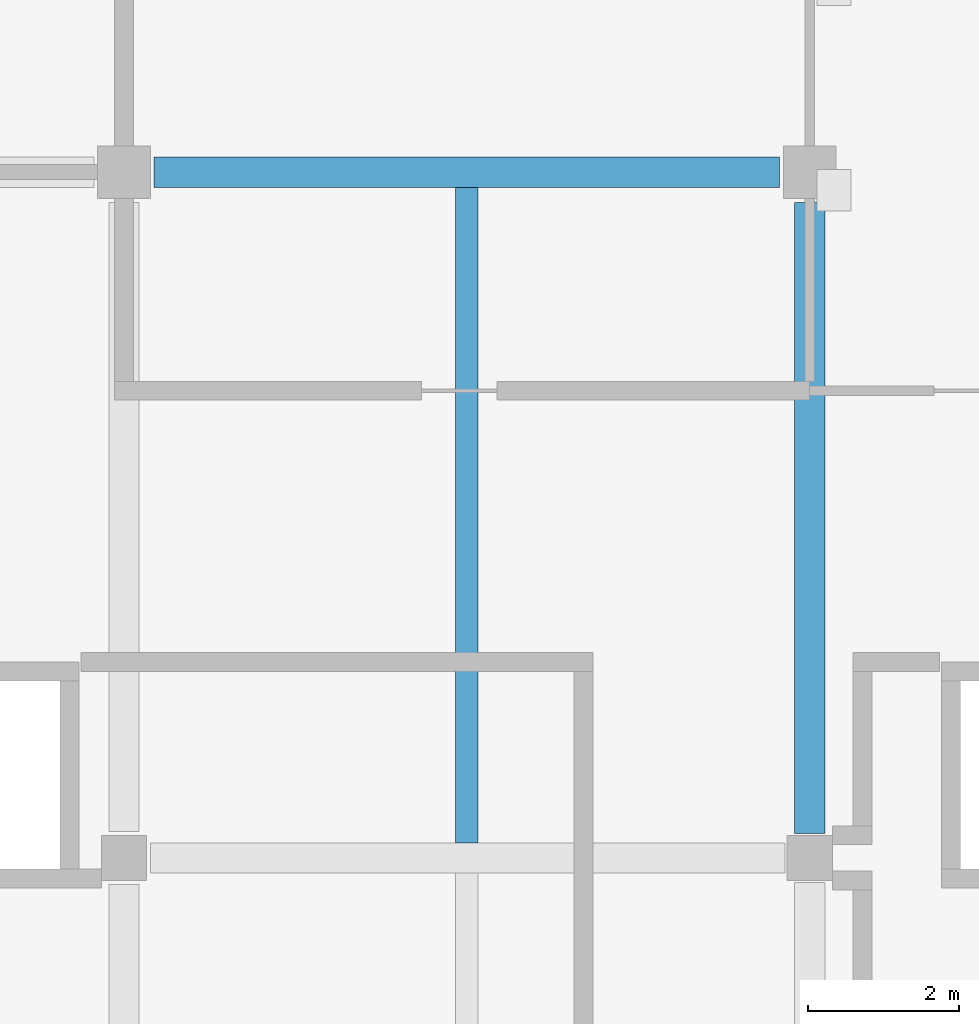
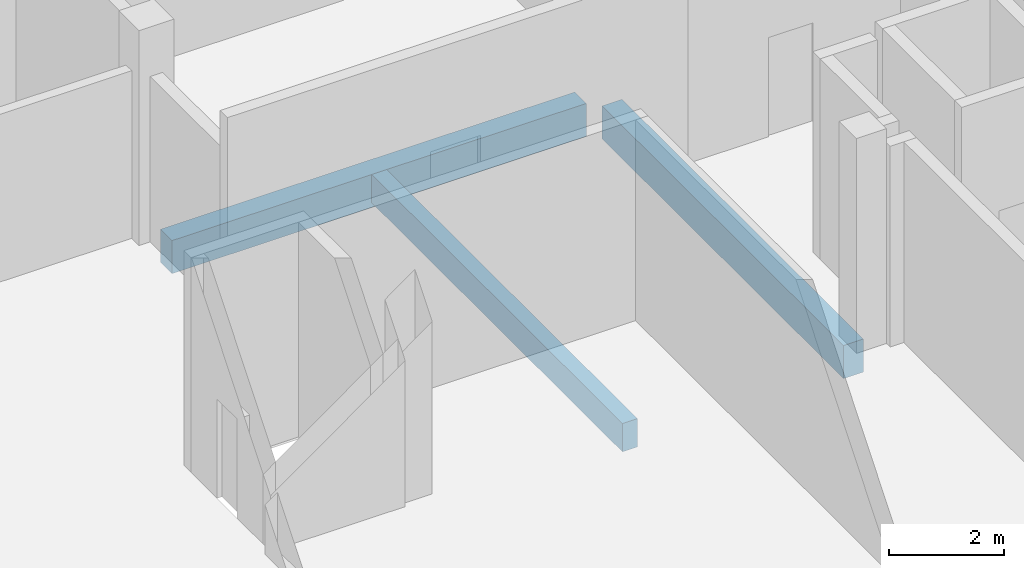
# One storey, part 20 of 124: 3 beams.
"""IFC4 building model written with IfcOpenShell, lengths in metres."""

from ifc_helpers import new_model, si_unit, direction, frame, origin, origin_2d, place, context, subcontext, project, spatial, rectangle, extrude, material, material_profile, profile_set, type_object, element, save


model = new_model("IFC4")

# Units and contexts
model_context = context("Model", 3, precision=1e-05, world=origin(), true_north=direction((0.0, 1.0)))
body_context = subcontext(model_context, "Body", "Model", "MODEL_VIEW")
ifc_project = project(units=[si_unit("LENGTHUNIT", "METRE"), si_unit("AREAUNIT", "SQUARE_METRE"), si_unit("VOLUMEUNIT", "CUBIC_METRE"), si_unit("PLANEANGLEUNIT", "RADIAN"), si_unit("MASSUNIT", "GRAM", prefix="KILO")], contexts=[model_context])

# Site, building, storey
site_placement = place(None, origin())
site = spatial("IfcSite", under=ifc_project, at=site_placement, CompositionType="ELEMENT")
building_placement = place(site_placement, origin())
building = spatial("IfcBuilding", under=site, at=building_placement, Name="Shirokan Park Arena", CompositionType="ELEMENT")
storey_placement = place(building_placement, frame((0.0, 0.0, 20.02001953125)))
storey = spatial("IfcBuildingStorey", under=building, at=storey_placement, Name="L04", CompositionType="ELEMENT", Elevation=20.02001953125)

# Beams
ifc_material = material(Name="Concrete C35", Category="concrete")
ifc_material_profile_1 = material_profile(ifc_material, rectangle(XDim=0.39990234375, YDim=0.699951171875, at=origin_2d()), Name="400x700")
ifc_profile_set_1 = profile_set([ifc_material_profile_1], Name="Concrete C35")
beam_type_1 = type_object("IfcBeamType", Name="RC girder 400x700", PredefinedType="BEAM", material=ifc_profile_set_1)
beam_1_placement = place(storey_placement, frame((27.7001953125, 36.39990234375, -0.60009765625), z_axis=(1.0, 0.0, 0.0), x_axis=(0.0, 1.0, 0.0)))
element("IfcBeam", 1, at=beam_1_placement, inside=storey, type_object=beam_type_1, Name="Girder 4E-5E L04", PredefinedType="BEAM", context=body_context, shape_type="SweptSolid", body=[
    extrude(rectangle(XDim=0.39990234375, YDim=0.699951171875, at=origin_2d()), origin(), (0.0, 0.0, 1.0), 8.2998046875),
])
beam_2_placement = place(storey_placement, frame((36.39990234375, 27.625, -0.60009765625), z_axis=(0.0, 1.0, 0.0), x_axis=(-1.0, 0.0, 0.0)))
element("IfcBeam", 2, at=beam_2_placement, inside=storey, type_object=beam_type_1, Name="Girder 5D-5E L04", PredefinedType="BEAM", context=body_context, shape_type="SweptSolid", body=[
    extrude(rectangle(XDim=0.39990234375, YDim=0.699951171875, at=origin_2d()), origin(), (0.0, 0.0, 1.0), 8.375),
])
ifc_material_profile_2 = material_profile(ifc_material, rectangle(XDim=0.300048828125, YDim=0.60009765625, at=origin_2d()), Name="300x600")
ifc_profile_set_2 = profile_set([ifc_material_profile_2], Name="Concrete C35")
beam_type_2 = type_object("IfcBeamType", Name="RC joist 300x600", PredefinedType="JOIST", material=ifc_profile_set_2)
beam_3_placement = place(storey_placement, frame((31.85009765625, 27.5, -0.550048828125), z_axis=(0.0, 1.0, 0.0), x_axis=(-1.0, 0.0, 0.0)))
element("IfcBeam", 3, at=beam_3_placement, inside=storey, type_object=beam_type_2, Name="Joist 5D L04", PredefinedType="JOIST", context=body_context, shape_type="SweptSolid", body=[
    extrude(rectangle(XDim=0.300048828125, YDim=0.60009765625, at=origin_2d()), origin(), (0.0, 0.0, 1.0), 8.699951171875),
])

save(model, "model.ifc")
